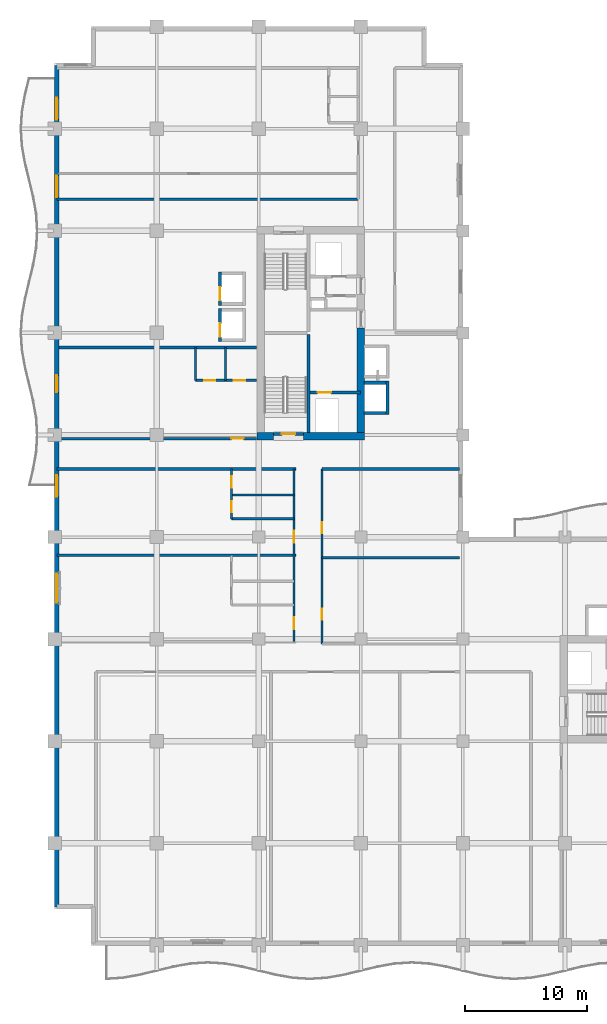
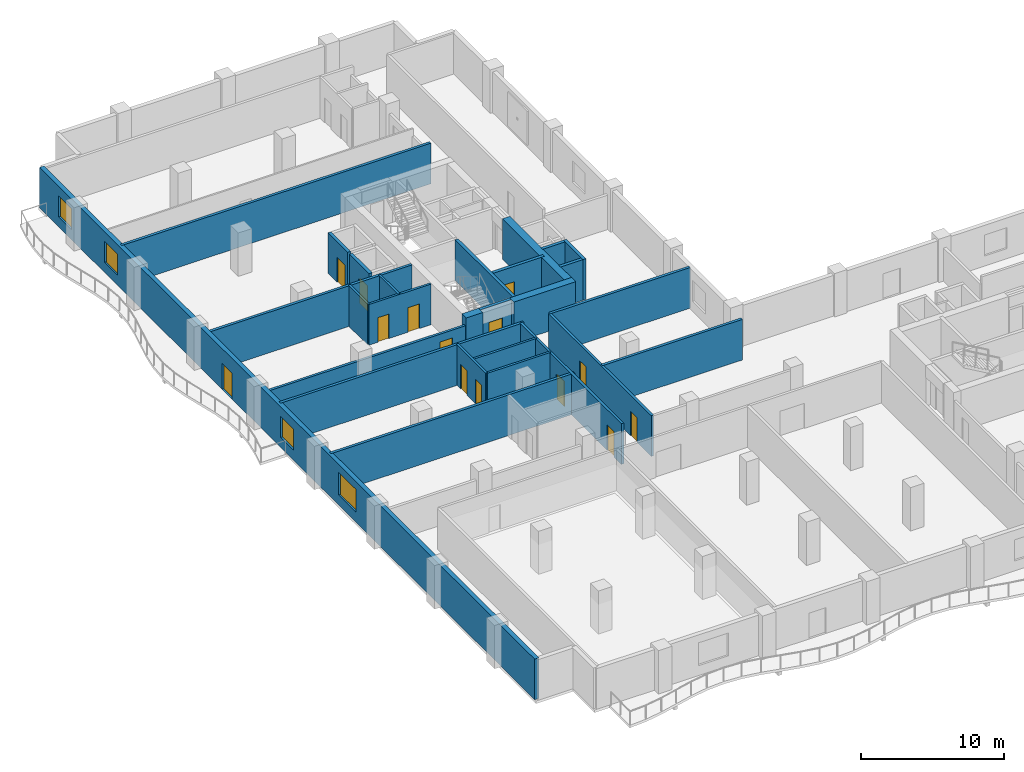
# One storey, part 11 of 20: 27 walls, 14 doors, 4 windows, 18 openings.
"""IFC4 building model written with IfcOpenShell, lengths in metres."""

from ifc_helpers import new_model, si_unit, direction, frame, frame_2d, origin, place, context, subcontext, project, spatial, rectangle, extrude, material, layer, layer_set, type_object, element, fill, save


model = new_model("IFC4")

# Units and contexts
model_context = context("Model", 3, precision=1e-05, world=origin(), true_north=direction((0.0, 1.0)))
body_context = subcontext(model_context, "Body", "Model", "MODEL_VIEW")
ifc_project = project(units=[si_unit("LENGTHUNIT", "METRE"), si_unit("AREAUNIT", "SQUARE_METRE"), si_unit("VOLUMEUNIT", "CUBIC_METRE"), si_unit("PLANEANGLEUNIT", "RADIAN"), si_unit("MASSUNIT", "GRAM", prefix="KILO")], contexts=[model_context])

# Site, building, storey
site_placement = place(None, origin())
site = spatial("IfcSite", under=ifc_project, at=site_placement, CompositionType="ELEMENT")
building_placement = place(site_placement, origin())
building = spatial("IfcBuilding", under=site, at=building_placement, Name="Koriwani Terraces Tower", CompositionType="ELEMENT")
storey_placement = place(building_placement, frame((0.0, 0.0, 212.39990234375)))
storey = spatial("IfcBuildingStorey", under=building, at=storey_placement, Name="L52", CompositionType="ELEMENT", Elevation=212.39990234375)

# Walls
ifc_material_1 = material(Name="Concrete C60/75", Category="concrete")
ifc_layer_1 = layer(ifc_material_1, 0.60009765625, Name="Concrete C60/75")
ifc_layer_set_1 = layer_set([ifc_layer_1], Name="Concrete C60/75")
wall_type_1 = type_object("IfcWallType", Name="WALL_CORE_RC_600", PredefinedType="SHEAR", material=ifc_layer_set_1)
wall_1_placement = place(storey_placement, frame((16.64990234375, 41.89990234375, 0.0), z_axis=(0.0, 0.0, 1.0), x_axis=(1.0, 0.0, 0.0)))
element("IfcWall", 1, at=wall_1_placement, inside=storey, type_object=wall_type_1, Name="L52 West Split Core Shear Wall S1", PredefinedType="SHEAR", context=body_context, shape_type="SweptSolid", body=[
    extrude(rectangle(XDim=1.35009765625, YDim=0.60009765625, at=frame_2d((0.675048828125, 0.0))), origin(), (0.0, 0.0, 1.0), 3.47021484375),
])
wall_2_placement = place(storey_placement, frame((20.5, 41.89990234375, 0.0), z_axis=(0.0, 0.0, 1.0), x_axis=(1.0, 0.0, 0.0)))
element("IfcWall", 2, at=wall_2_placement, inside=storey, type_object=wall_type_1, Name="L52 West Split Core Shear Wall S2", PredefinedType="SHEAR", context=body_context, shape_type="SweptSolid", body=[
    extrude(rectangle(XDim=5.0, YDim=0.60009765625, at=frame_2d((2.5, 0.0))), origin(), (0.0, 0.0, 1.0), 3.47021484375),
])
wall_3_placement = place(storey_placement, frame((25.199951171875, 42.199951171875, 0.0), z_axis=(0.0, 0.0, 1.0), x_axis=(0.0, 1.0, 0.0)))
element("IfcWall", 3, at=wall_3_placement, inside=storey, type_object=wall_type_1, Name="L52 West Split Core Shear Wall E1", PredefinedType="SHEAR", context=body_context, shape_type="SweptSolid", body=[
    extrude(rectangle(XDim=8.60009765625, YDim=0.60009765625, at=frame_2d((4.300048828125, 0.0))), origin(), (0.0, 0.0, 1.0), 3.47021484375),
])

# Wall, opening, door
ifc_material_2 = material(Name="Autoclaved Cellular Concrete Blockwork", Category="masonry")
ifc_layer_2 = layer(ifc_material_2, 0.199951171875, Name="Autoclaved Cellular Concrete Blockwork")
ifc_layer_set_2 = layer_set([ifc_layer_2], Name="Autoclaved Cellular Concrete Blockwork")
wall_type_2 = type_object("IfcWallType", Name="WALL_CORRIDOR_200", PredefinedType="PARTITIONING", material=ifc_layer_set_2)
wall_4_placement = place(storey_placement, frame((0.35009765625, 41.699951171875, 0.0), z_axis=(0.0, 0.0, 1.0), x_axis=(1.0, 0.0, 0.0)))
wall_4 = element("IfcWall", 4, at=wall_4_placement, inside=storey, type_object=wall_type_2, Name="L52 Interior Wall WREC-WS-L52", PredefinedType="PARTITIONING", context=body_context, shape_type="SweptSolid", body=[
    extrude(rectangle(XDim=16.25, YDim=0.199951171875, at=frame_2d((8.125, 0.0))), origin(), (0.0, 0.0, 1.0), 2.820068359375),
])
opening_1_placement = place(wall_4_placement, frame((14.199951171875, 0.0, 0.0)))
opening_1 = element("IfcOpeningElement", 5, at=opening_1_placement, cuts=wall_4, Name="Opening D-05", PredefinedType="OPENING", context=body_context, shape_type="SweptSolid", body=[
    extrude(rectangle(XDim=1.0, YDim=2.14990234375, at=frame_2d((0.5, 1.074951171875))), frame((0.0, 0.10986328125, 0.0), z_axis=(0.0, -1.0, 0.0), x_axis=(1.0, 0.0, 0.0)), (0.0, 0.0, 1.0), 0.219970703125),
])
ifc_material_3 = material(Name="Architectural Oak Fire Door", Category="wood")
door_type_1 = type_object("IfcDoorType", Name="DOOR_SUITE_ENTRY_1000X2150", OperationType="NOTDEFINED", PredefinedType="DOOR", material=ifc_material_3)
door_1_placement = place(opening_1_placement, origin())
door_1 = element("IfcDoor", 6, at=door_1_placement, inside=storey, type_object=door_type_1, Name="L52 Reclaimed West Suite Door", OperationType="SINGLE_SWING_RIGHT", OverallHeight=2.14990234375, OverallWidth=1.0, PredefinedType="DOOR", context=body_context, shape_type="SweptSolid", body=[
    extrude(rectangle(XDim=1.0, YDim=2.14990234375, at=frame_2d((0.5, 1.074951171875))), frame((0.0, 0.02490234375, 0.0), z_axis=(0.0, -1.0, 0.0), x_axis=(1.0, 0.0, 0.0)), (0.0, 0.0, 1.0), 0.050048828125),
])
fill(opening_1, door_1)

# Wall, openings, doors
wall_5_placement = place(storey_placement, frame((22.0, 24.800048828125, 0.0), z_axis=(0.0, 0.0, 1.0), x_axis=(0.0, 1.0, 0.0)))
wall_5 = element("IfcWall", 7, at=wall_5_placement, inside=storey, type_object=wall_type_2, Name="L52 Interior Wall WIC2-W-L52", PredefinedType="PARTITIONING", context=body_context, shape_type="SweptSolid", body=[
    extrude(rectangle(XDim=14.39990234375, YDim=0.199951171875, at=frame_2d((7.199951171875, 0.0))), origin(), (0.0, 0.0, 1.0), 3.47021484375),
])
opening_2_placement = place(wall_5_placement, frame((2.0, 0.0, 0.0)))
opening_2 = element("IfcOpeningElement", 8, at=opening_2_placement, cuts=wall_5, Name="Opening D-06", PredefinedType="OPENING", context=body_context, shape_type="SweptSolid", body=[
    extrude(rectangle(XDim=0.919921875, YDim=2.10009765625, at=frame_2d((0.4599609375, 1.050048828125))), frame((0.0, 0.10986328125, 0.0), z_axis=(0.0, -1.0, 0.0), x_axis=(1.0, 0.0, 0.0)), (0.0, 0.0, 1.0), 0.219970703125),
])
opening_3_placement = place(wall_5_placement, frame((9.10009765625, 0.0, 0.0)))
opening_3 = element("IfcOpeningElement", 9, at=opening_3_placement, cuts=wall_5, Name="Opening D-06", PredefinedType="OPENING", context=body_context, shape_type="SweptSolid", body=[
    extrude(rectangle(XDim=0.919921875, YDim=2.10009765625, at=frame_2d((0.4599609375, 1.050048828125))), frame((0.0, 0.10986328125, 0.0), z_axis=(0.0, -1.0, 0.0), x_axis=(1.0, 0.0, 0.0)), (0.0, 0.0, 1.0), 0.219970703125),
])
door_type_2 = type_object("IfcDoorType", Name="DOOR_ROOM_INT_920X2100", OperationType="NOTDEFINED", PredefinedType="DOOR", material=ifc_material_3)
door_2_placement = place(opening_2_placement, origin())
door_2 = element("IfcDoor", 10, at=door_2_placement, inside=storey, type_object=door_type_2, Name="L52 Inner Court Salon Door", OperationType="SINGLE_SWING_RIGHT", OverallHeight=2.10009765625, OverallWidth=0.919921875, PredefinedType="DOOR", context=body_context, shape_type="SweptSolid", body=[
    extrude(rectangle(XDim=0.919921875, YDim=2.10009765625, at=frame_2d((0.4599609375, 1.050048828125))), frame((0.0, 0.02490234375, 0.0), z_axis=(0.0, -1.0, 0.0), x_axis=(1.0, 0.0, 0.0)), (0.0, 0.0, 1.0), 0.050048828125),
])
fill(opening_2, door_2)
door_3_placement = place(opening_3_placement, origin())
door_3 = element("IfcDoor", 11, at=door_3_placement, inside=storey, type_object=door_type_2, Name="L52 Inner Court Media Room Door", OperationType="SINGLE_SWING_LEFT", OverallHeight=2.10009765625, OverallWidth=0.919921875, PredefinedType="DOOR", context=body_context, shape_type="SweptSolid", body=[
    extrude(rectangle(XDim=0.919921875, YDim=2.10009765625, at=frame_2d((0.4599609375, 1.050048828125))), frame((0.0, 0.02490234375, 0.0), z_axis=(0.0, -1.0, 0.0), x_axis=(1.0, 0.0, 0.0)), (0.0, 0.0, 1.0), 0.050048828125),
])
fill(opening_3, door_3)

wall_6_placement = place(storey_placement, frame((19.699951171875, 25.0, 0.0), z_axis=(0.0, 0.0, 1.0), x_axis=(0.0, 1.0, 0.0)))
wall_6 = element("IfcWall", 12, at=wall_6_placement, inside=storey, type_object=wall_type_2, Name="L52 Interior Wall WRCOR-L52-NW-0", PredefinedType="PARTITIONING", context=body_context, shape_type="SweptSolid", body=[
    extrude(rectangle(XDim=14.199951171875, YDim=0.199951171875, at=frame_2d((7.10009765625, 0.0))), origin(), (0.0, 0.0, 1.0), 3.47021484375),
])
opening_4_placement = place(wall_6_placement, frame((1.02001953125, 0.0, 0.0)))
opening_4 = element("IfcOpeningElement", 13, at=opening_4_placement, cuts=wall_6, Name="Opening D-05", PredefinedType="OPENING", context=body_context, shape_type="SweptSolid", body=[
    extrude(rectangle(XDim=1.0, YDim=2.14990234375, at=frame_2d((0.5, 1.074951171875))), frame((0.0, 0.10986328125, 0.0), z_axis=(0.0, -1.0, 0.0), x_axis=(1.0, 0.0, 0.0)), (0.0, 0.0, 1.0), 0.219970703125),
])
opening_5_placement = place(wall_6_placement, frame((8.1201171875, 0.0, 0.0)))
opening_5 = element("IfcOpeningElement", 14, at=opening_5_placement, cuts=wall_6, Name="Opening D-05", PredefinedType="OPENING", context=body_context, shape_type="SweptSolid", body=[
    extrude(rectangle(XDim=1.0, YDim=2.14990234375, at=frame_2d((0.5, 1.074951171875))), frame((0.0, 0.10986328125, 0.0), z_axis=(0.0, -1.0, 0.0), x_axis=(1.0, 0.0, 0.0)), (0.0, 0.0, 1.0), 0.219970703125),
])
door_4_placement = place(opening_4_placement, origin())
door_4 = element("IfcDoor", 15, at=door_4_placement, inside=storey, type_object=door_type_1, Name="Apartment 52NW1 Entrance Door", OperationType="SINGLE_SWING_LEFT", OverallHeight=2.14990234375, OverallWidth=1.0, PredefinedType="DOOR", context=body_context, shape_type="SweptSolid", body=[
    extrude(rectangle(XDim=1.0, YDim=2.14990234375, at=frame_2d((0.5, 1.074951171875))), frame((0.0, 0.02490234375, 0.0), z_axis=(0.0, -1.0, 0.0), x_axis=(1.0, 0.0, 0.0)), (0.0, 0.0, 1.0), 0.050048828125),
])
fill(opening_4, door_4)
door_5_placement = place(opening_5_placement, origin())
door_5 = element("IfcDoor", 16, at=door_5_placement, inside=storey, type_object=door_type_1, Name="Apartment 52NW2 Entrance Door", OperationType="SINGLE_SWING_RIGHT", OverallHeight=2.14990234375, OverallWidth=1.0, PredefinedType="DOOR", context=body_context, shape_type="SweptSolid", body=[
    extrude(rectangle(XDim=1.0, YDim=2.14990234375, at=frame_2d((0.5, 1.074951171875))), frame((0.0, 0.02490234375, 0.0), z_axis=(0.0, -1.0, 0.0), x_axis=(1.0, 0.0, 0.0)), (0.0, 0.0, 1.0), 0.050048828125),
])
fill(opening_5, door_5)

# Walls
ifc_layer_3 = layer(ifc_material_2, 0.219970703125, Name="Autoclaved Cellular Concrete Blockwork")
ifc_layer_set_3 = layer_set([ifc_layer_3], Name="Autoclaved Cellular Concrete Blockwork")
wall_type_3 = type_object("IfcWallType", Name="WALL_DEMISING_220", PredefinedType="PARTITIONING", material=ifc_layer_set_3)
wall_7_placement = place(storey_placement, frame((0.35009765625, 49.199951171875, 0.0), z_axis=(0.0, 0.0, 1.0), x_axis=(1.0, 0.0, 0.0)))
element("IfcWall", 17, at=wall_7_placement, inside=storey, type_object=wall_type_3, Name="L52 Interior Wall WREC-WN-L52", PredefinedType="PARTITIONING", context=body_context, shape_type="SweptSolid", body=[
    extrude(rectangle(XDim=16.25, YDim=0.219970703125, at=frame_2d((8.125, 0.0))), origin(), (0.0, 0.0, 1.0), 3.47021484375),
])
for number, where, z_axis, x_axis, name in (
    (18, (22.0, 31.89990234375, 0.0), (0.0, 0.0, 1.0), (1.0, 0.0, 0.0), "L52 Interior Wall WIC2-M-L52"),
    (19, (22.0, 39.199951171875, 0.0), (0.0, 0.0, 1.0), (1.0, 0.0, 0.0), "L52 Interior Wall WIC2-N-L52"),
):
    element("IfcWall", number, at=place(storey_placement, frame(where, z_axis=z_axis, x_axis=x_axis)), inside=storey, type_object=wall_type_3, Name=name, PredefinedType="PARTITIONING", context=body_context, shape_type="SweptSolid", body=[
        extrude(rectangle(XDim=11.300048828125, YDim=0.219970703125, at=frame_2d((5.64990234375, 0.0))), origin(), (0.0, 0.0, 1.0), 3.47021484375),
    ])
for number, where, z_axis, x_axis, name in (
    (20, (0.199951171875, 32.10009765625, 0.0), (0.0, 0.0, 1.0), (1.0, 0.0, 0.0), "L52 Interior Wall WRDEM-L52-NW-1"),
    (21, (0.199951171875, 39.199951171875, 0.0), (0.0, 0.0, 1.0), (1.0, 0.0, 0.0), "L52 Interior Wall WRDEME-L52-NW"),
):
    element("IfcWall", number, at=place(storey_placement, frame(where, z_axis=z_axis, x_axis=x_axis)), inside=storey, type_object=wall_type_3, Name=name, PredefinedType="PARTITIONING", context=body_context, shape_type="SweptSolid", body=[
        extrude(rectangle(XDim=19.679931640625, YDim=0.219970703125, at=frame_2d((9.83984375, 0.0))), origin(), (0.0, 0.0, 1.0), 3.47021484375),
    ])
wall_8_placement = place(storey_placement, frame((0.199951171875, 61.39990234375, 0.0), z_axis=(0.0, 0.0, 1.0), x_axis=(1.0, 0.0, 0.0)))
element("IfcWall", 22, at=wall_8_placement, inside=storey, type_object=wall_type_3, Name="L52 Interior Wall WRDEM-L52-NE-0", PredefinedType="PARTITIONING", context=body_context, shape_type="SweptSolid", body=[
    extrude(rectangle(XDim=24.97998046875, YDim=0.219970703125, at=frame_2d((12.489990234375, 0.0))), origin(), (0.0, 0.0, 1.0), 3.47021484375),
])

# Wall, openings, door, windows
ifc_material_4 = material(Name="Concrete C50/60", Category="concrete")
ifc_layer_4 = layer(ifc_material_4, 0.35009765625, Name="Concrete C50/60")
ifc_layer_set_4 = layer_set([ifc_layer_4], Name="Concrete C50/60")
wall_type_4 = type_object("IfcWallType", Name="WALL_EXT_BRUTALIST_350", PredefinedType="STANDARD", material=ifc_layer_set_4)
wall_9_placement = place(storey_placement, frame((0.175048828125, 3.175048828125, 0.0), z_axis=(0.0, 0.0, 1.0), x_axis=(0.0, 1.0, 0.0)))
wall_9 = element("IfcWall", 23, at=wall_9_placement, inside=storey, type_object=wall_type_4, Name="L52 Fair-Faced Brutalist Exterior Wall (W)", PredefinedType="STANDARD", context=body_context, shape_type="SweptSolid", body=[
    extrude(rectangle(XDim=69.25, YDim=0.35009765625, at=frame_2d((34.625, 0.0))), origin(), (0.0, 0.0, 1.0), 3.47021484375),
])
opening_6_placement = place(wall_9_placement, frame((42.324951171875, 0.0, 0.0)))
opening_6 = element("IfcOpeningElement", 24, at=opening_6_placement, cuts=wall_9, Name="Opening D-09", PredefinedType="OPENING", context=body_context, shape_type="SweptSolid", body=[
    extrude(rectangle(XDim=1.39990234375, YDim=2.199951171875, at=frame_2d((0.699951171875, 1.10009765625))), frame((0.0, 0.18505859375, 0.0), z_axis=(0.0, -1.0, 0.0), x_axis=(1.0, 0.0, 0.0)), (0.0, 0.0, 1.0), 0.3701171875),
])
opening_7_placement = place(wall_9_placement, frame((25.02490234375, 0.0, 0.85009765625)))
opening_7 = element("IfcOpeningElement", 25, at=opening_7_placement, cuts=wall_9, Name="Opening W-03", PredefinedType="OPENING", context=body_context, shape_type="SweptSolid", body=[
    extrude(rectangle(XDim=2.39990234375, YDim=1.949951171875, at=frame_2d((1.199951171875, 0.97509765625))), frame((0.0, 0.18505859375, 0.0), z_axis=(0.0, -1.0, 0.0), x_axis=(1.0, 0.0, 0.0)), (0.0, 0.0, 1.0), 0.3701171875),
])
opening_8_placement = place(wall_9_placement, frame((33.72509765625, 0.0, 0.85009765625)))
opening_8 = element("IfcOpeningElement", 26, at=opening_8_placement, cuts=wall_9, Name="Opening W-04", PredefinedType="OPENING", context=body_context, shape_type="SweptSolid", body=[
    extrude(rectangle(XDim=1.800048828125, YDim=1.800048828125, at=frame_2d((0.89990234375, 0.89990234375))), frame((0.0, 0.18505859375, 0.0), z_axis=(0.0, -1.0, 0.0), x_axis=(1.0, 0.0, 0.0)), (0.0, 0.0, 1.0), 0.3701171875),
])
opening_9_placement = place(wall_9_placement, frame((58.375, 0.0, 0.85009765625)))
opening_9 = element("IfcOpeningElement", 27, at=opening_9_placement, cuts=wall_9, Name="Opening W-04", PredefinedType="OPENING", context=body_context, shape_type="SweptSolid", body=[
    extrude(rectangle(XDim=1.800048828125, YDim=1.800048828125, at=frame_2d((0.89990234375, 0.89990234375))), frame((0.0, 0.18505859375, 0.0), z_axis=(0.0, -1.0, 0.0), x_axis=(1.0, 0.0, 0.0)), (0.0, 0.0, 1.0), 0.3701171875),
])
opening_10_placement = place(wall_9_placement, frame((64.77490234375, 0.0, 0.85009765625)))
opening_10 = element("IfcOpeningElement", 28, at=opening_10_placement, cuts=wall_9, Name="Opening W-04", PredefinedType="OPENING", context=body_context, shape_type="SweptSolid", body=[
    extrude(rectangle(XDim=1.800048828125, YDim=1.800048828125, at=frame_2d((0.89990234375, 0.89990234375))), frame((0.0, 0.18505859375, 0.0), z_axis=(0.0, -1.0, 0.0), x_axis=(1.0, 0.0, 0.0)), (0.0, 0.0, 1.0), 0.3701171875),
])
ifc_material_5 = material(Name="Anodised Bronze Aluminium", Category="aluminium")
door_type_3 = type_object("IfcDoorType", Name="DOOR_BALCONY_GLAZED_1400X2200", OperationType="NOTDEFINED", PredefinedType="DOOR", material=ifc_material_5)
door_6_placement = place(opening_6_placement, origin())
door_6 = element("IfcDoor", 29, at=door_6_placement, inside=storey, type_object=door_type_3, Name="L52 West Balcony Glazed Door", OperationType="SINGLE_SWING_LEFT", OverallHeight=2.199951171875, OverallWidth=1.39990234375, PredefinedType="DOOR", context=body_context, shape_type="SweptSolid", body=[
    extrude(rectangle(XDim=1.39990234375, YDim=2.199951171875, at=frame_2d((0.699951171875, 1.10009765625))), frame((0.0, 0.02490234375, 0.0), z_axis=(0.0, -1.0, 0.0), x_axis=(1.0, 0.0, 0.0)), (0.0, 0.0, 1.0), 0.050048828125),
])
fill(opening_6, door_6)
ifc_material_6 = material(Name="Tempered Laminated Low-E Glass", Category="glass")
window_type_1 = type_object("IfcWindowType", Name="WIN_RES_BED_1800X1800", PartitioningType="DOUBLE_PANEL_VERTICAL", PredefinedType="WINDOW", material=ifc_material_6)
window_1_placement = place(opening_8_placement, origin())
window_1 = element("IfcWindow", 30, at=window_1_placement, inside=storey, type_object=window_type_1, Name="L52 Exterior Window (W-12)", OverallHeight=1.800048828125, OverallWidth=1.800048828125, PartitioningType="SINGLE_PANEL", PredefinedType="WINDOW", context=body_context, shape_type="SweptSolid", body=[
    extrude(rectangle(XDim=1.800048828125, YDim=1.800048828125, at=frame_2d((0.89990234375, 0.89990234375))), frame((0.0, 0.030029296875, 0.0), z_axis=(0.0, -1.0, 0.0), x_axis=(1.0, 0.0, 0.0)), (0.0, 0.0, 1.0), 0.06005859375),
])
fill(opening_8, window_1)
window_2_placement = place(opening_9_placement, origin())
window_2 = element("IfcWindow", 31, at=window_2_placement, inside=storey, type_object=window_type_1, Name="L52 Exterior Window (W-R44)", OverallHeight=1.800048828125, OverallWidth=1.800048828125, PartitioningType="SINGLE_PANEL", PredefinedType="WINDOW", context=body_context, shape_type="SweptSolid", body=[
    extrude(rectangle(XDim=1.800048828125, YDim=1.800048828125, at=frame_2d((0.89990234375, 0.89990234375))), frame((0.0, 0.030029296875, 0.0), z_axis=(0.0, -1.0, 0.0), x_axis=(1.0, 0.0, 0.0)), (0.0, 0.0, 1.0), 0.06005859375),
])
fill(opening_9, window_2)
window_3_placement = place(opening_10_placement, origin())
window_3 = element("IfcWindow", 32, at=window_3_placement, inside=storey, type_object=window_type_1, Name="L52 Exterior Window (W-R45)", OverallHeight=1.800048828125, OverallWidth=1.800048828125, PartitioningType="SINGLE_PANEL", PredefinedType="WINDOW", context=body_context, shape_type="SweptSolid", body=[
    extrude(rectangle(XDim=1.800048828125, YDim=1.800048828125, at=frame_2d((0.89990234375, 0.89990234375))), frame((0.0, 0.030029296875, 0.0), z_axis=(0.0, -1.0, 0.0), x_axis=(1.0, 0.0, 0.0)), (0.0, 0.0, 1.0), 0.06005859375),
])
fill(opening_10, window_3)
window_type_2 = type_object("IfcWindowType", Name="WIN_RES_LIVING_2400X1950", PartitioningType="DOUBLE_PANEL_VERTICAL", PredefinedType="WINDOW", material=ifc_material_6)
window_4_placement = place(opening_7_placement, origin())
window_4 = element("IfcWindow", 33, at=window_4_placement, inside=storey, type_object=window_type_2, Name="L52 Exterior Window (W-9)", OverallHeight=1.949951171875, OverallWidth=2.39990234375, PartitioningType="SINGLE_PANEL", PredefinedType="WINDOW", context=body_context, shape_type="SweptSolid", body=[
    extrude(rectangle(XDim=2.39990234375, YDim=1.949951171875, at=frame_2d((1.199951171875, 0.97509765625))), frame((0.0, 0.030029296875, 0.0), z_axis=(0.0, -1.0, 0.0), x_axis=(1.0, 0.0, 0.0)), (0.0, 0.0, 1.0), 0.06005859375),
])
fill(opening_7, window_4)

# Wall, openings, doors
ifc_material_7 = material(Name="Fire-Rated Acoustic Gypsum Partition", Category="masonry")
ifc_layer_5 = layer(ifc_material_7, 0.179931640625, Name="Fire-Rated Acoustic Gypsum Partition")
ifc_layer_set_5 = layer_set([ifc_layer_5], Name="Fire-Rated Acoustic Gypsum Partition")
wall_type_5 = type_object("IfcWallType", Name="WALL_PLUMBING_180", PredefinedType="PLUMBINGWALL", material=ifc_layer_set_5)
wall_10_placement = place(storey_placement, frame((11.60009765625, 46.5, 0.0), z_axis=(0.0, 0.0, 1.0), x_axis=(1.0, 0.0, 0.0)))
wall_10 = element("IfcWall", 34, at=wall_10_placement, inside=storey, type_object=wall_type_5, Name="L52 Interior Wall WREC-WBB-L52", PredefinedType="PLUMBINGWALL", context=body_context, shape_type="SweptSolid", body=[
    extrude(rectangle(XDim=5.0, YDim=0.179931640625, at=frame_2d((2.5, 0.0))), origin(), (0.0, 0.0, 1.0), 3.47021484375),
])
opening_11_placement = place(wall_10_placement, frame((0.699951171875, 0.0, 0.0)))
opening_11 = element("IfcOpeningElement", 35, at=opening_11_placement, cuts=wall_10, Name="Opening D-07", PredefinedType="OPENING", context=body_context, shape_type="SweptSolid", body=[
    extrude(rectangle(XDim=0.89990234375, YDim=2.10009765625, at=frame_2d((0.449951171875, 1.050048828125))), frame((0.0, 0.10009765625, 0.0), z_axis=(0.0, -1.0, 0.0), x_axis=(1.0, 0.0, 0.0)), (0.0, 0.0, 1.0), 0.199951171875),
])
opening_12_placement = place(wall_10_placement, frame((3.14990234375, 0.0, 0.0)))
opening_12 = element("IfcOpeningElement", 36, at=opening_12_placement, cuts=wall_10, Name="Opening D-06", PredefinedType="OPENING", context=body_context, shape_type="SweptSolid", body=[
    extrude(rectangle(XDim=0.919921875, YDim=2.10009765625, at=frame_2d((0.4599609375, 1.050048828125))), frame((0.0, 0.10009765625, 0.0), z_axis=(0.0, -1.0, 0.0), x_axis=(1.0, 0.0, 0.0)), (0.0, 0.0, 1.0), 0.199951171875),
])
door_type_4 = type_object("IfcDoorType", Name="DOOR_BATH_INT_900X2100", OperationType="NOTDEFINED", PredefinedType="DOOR", material=ifc_material_3)
door_7_placement = place(opening_11_placement, origin())
door_7 = element("IfcDoor", 37, at=door_7_placement, inside=storey, type_object=door_type_4, Name="Apartment 52RW Bathroom Door", OperationType="SINGLE_SWING_LEFT", OverallHeight=2.10009765625, OverallWidth=0.89990234375, PredefinedType="DOOR", context=body_context, shape_type="SweptSolid", body=[
    extrude(rectangle(XDim=0.89990234375, YDim=2.10009765625, at=frame_2d((0.449951171875, 1.050048828125))), frame((0.0, 0.02490234375, 0.0), z_axis=(0.0, -1.0, 0.0), x_axis=(1.0, 0.0, 0.0)), (0.0, 0.0, 1.0), 0.050048828125),
])
fill(opening_11, door_7)
door_8_placement = place(opening_12_placement, origin())
door_8 = element("IfcDoor", 38, at=door_8_placement, inside=storey, type_object=door_type_2, Name="Apartment 52RW Kitchen Door", OperationType="SINGLE_SWING_RIGHT", OverallHeight=2.10009765625, OverallWidth=0.919921875, PredefinedType="DOOR", context=body_context, shape_type="SweptSolid", body=[
    extrude(rectangle(XDim=0.919921875, YDim=2.10009765625, at=frame_2d((0.4599609375, 1.050048828125))), frame((0.0, 0.02490234375, 0.0), z_axis=(0.0, -1.0, 0.0), x_axis=(1.0, 0.0, 0.0)), (0.0, 0.0, 1.0), 0.050048828125),
])
fill(opening_12, door_8)

# Walls
for number, where, z_axis, x_axis, name in (
    (39, (11.60009765625, 46.5, 0.0), (0.0, 0.0, 1.0), (0.0, 1.0, 0.0), "L52 Interior Wall WREC-WB2-L52"),
    (40, (14.050048828125, 46.5, 0.0), (0.0, 0.0, 1.0), (0.0, 1.0, 0.0), "L52 Interior Wall WREC-WB3-L52"),
):
    element("IfcWall", number, at=place(storey_placement, frame(where, z_axis=z_axis, x_axis=x_axis)), inside=storey, type_object=wall_type_5, Name=name, PredefinedType="PLUMBINGWALL", context=body_context, shape_type="SweptSolid", body=[
        extrude(rectangle(XDim=2.699951171875, YDim=0.179931640625, at=frame_2d((1.35009765625, 0.0))), origin(), (0.0, 0.0, 1.0), 3.47021484375),
    ])

# Wall, openings, doors
wall_11_placement = place(storey_placement, frame((14.550048828125, 35.10009765625, 0.0), z_axis=(0.0, 0.0, 1.0), x_axis=(0.0, 1.0, 0.0)))
wall_11 = element("IfcWall", 41, at=wall_11_placement, inside=storey, type_object=wall_type_5, Name="L52 Interior Wall WRSVC-L52-NW-1", PredefinedType="PLUMBINGWALL", context=body_context, shape_type="SweptSolid", body=[
    extrude(rectangle(XDim=4.099853515625, YDim=0.179931640625, at=frame_2d((2.0498046875, 0.0))), origin(), (0.0, 0.0, 1.0), 3.47021484375),
])
opening_13_placement = place(wall_11_placement, frame((0.533935546875, 0.0, 0.0)))
opening_13 = element("IfcOpeningElement", 42, at=opening_13_placement, cuts=wall_11, Name="Opening D-07", PredefinedType="OPENING", context=body_context, shape_type="SweptSolid", body=[
    extrude(rectangle(XDim=0.89990234375, YDim=2.10009765625, at=frame_2d((0.449951171875, 1.050048828125))), frame((0.0, 0.10009765625, 0.0), z_axis=(0.0, -1.0, 0.0), x_axis=(1.0, 0.0, 0.0)), (0.0, 0.0, 1.0), 0.199951171875),
])
opening_14_placement = place(wall_11_placement, frame((2.573974609375, 0.0, 0.0)))
opening_14 = element("IfcOpeningElement", 43, at=opening_14_placement, cuts=wall_11, Name="Opening D-06", PredefinedType="OPENING", context=body_context, shape_type="SweptSolid", body=[
    extrude(rectangle(XDim=0.919921875, YDim=2.10009765625, at=frame_2d((0.4599609375, 1.050048828125))), frame((0.0, 0.10009765625, 0.0), z_axis=(0.0, -1.0, 0.0), x_axis=(1.0, 0.0, 0.0)), (0.0, 0.0, 1.0), 0.199951171875),
])
door_9_placement = place(opening_13_placement, origin())
door_9 = element("IfcDoor", 44, at=door_9_placement, inside=storey, type_object=door_type_4, Name="Apartment 52NW2 Bathroom Door", OperationType="SINGLE_SWING_LEFT", OverallHeight=2.10009765625, OverallWidth=0.89990234375, PredefinedType="DOOR", context=body_context, shape_type="SweptSolid", body=[
    extrude(rectangle(XDim=0.89990234375, YDim=2.10009765625, at=frame_2d((0.449951171875, 1.050048828125))), frame((0.0, 0.02490234375, 0.0), z_axis=(0.0, -1.0, 0.0), x_axis=(1.0, 0.0, 0.0)), (0.0, 0.0, 1.0), 0.050048828125),
])
fill(opening_13, door_9)
door_10_placement = place(opening_14_placement, origin())
door_10 = element("IfcDoor", 45, at=door_10_placement, inside=storey, type_object=door_type_2, Name="Apartment 52NW2 Kitchen Door", OperationType="SINGLE_SWING_RIGHT", OverallHeight=2.10009765625, OverallWidth=0.919921875, PredefinedType="DOOR", context=body_context, shape_type="SweptSolid", body=[
    extrude(rectangle(XDim=0.919921875, YDim=2.10009765625, at=frame_2d((0.4599609375, 1.050048828125))), frame((0.0, 0.02490234375, 0.0), z_axis=(0.0, -1.0, 0.0), x_axis=(1.0, 0.0, 0.0)), (0.0, 0.0, 1.0), 0.050048828125),
])
fill(opening_14, door_10)

# Walls
for number, where, z_axis, x_axis, name in (
    (46, (14.550048828125, 35.10009765625, 0.0), (0.0, 0.0, 1.0), (1.0, 0.0, 0.0), "L52 Interior Wall WRSVCS-L52-NW-1"),
    (47, (14.550048828125, 37.068115234375, 0.0), (0.0, 0.0, 1.0), (1.0, 0.0, 0.0), "L52 Interior Wall WRSVCM-L52-NW-1"),
):
    element("IfcWall", number, at=place(storey_placement, frame(where, z_axis=z_axis, x_axis=x_axis)), inside=storey, type_object=wall_type_5, Name=name, PredefinedType="PLUMBINGWALL", context=body_context, shape_type="SweptSolid", body=[
        extrude(rectangle(XDim=5.14990234375, YDim=0.179931640625, at=frame_2d((2.574951171875, 0.0))), origin(), (0.0, 0.0, 1.0), 3.47021484375),
    ])
ifc_material_8 = material(Name="Concrete C40/50", Category="concrete")
ifc_layer_6 = layer(ifc_material_8, 0.25, Name="Concrete C40/50")
ifc_layer_set_6 = layer_set([ifc_layer_6], Name="Concrete C40/50")
wall_type_6 = type_object("IfcWallType", Name="WALL_SHAFT_RATED_250", PredefinedType="SOLIDWALL", material=ifc_layer_set_6)
wall_12_placement = place(storey_placement, frame((20.875, 42.199951171875, 0.0), z_axis=(0.0, 0.0, 1.0), x_axis=(0.0, 1.0, 0.0)))
element("IfcWall", 48, at=wall_12_placement, inside=storey, type_object=wall_type_6, Name="L52 West Split Core Web Wall MID1", PredefinedType="SOLIDWALL", context=body_context, shape_type="SweptSolid", body=[
    extrude(rectangle(XDim=8.050048828125, YDim=0.25, at=frame_2d((4.02490234375, 0.0))), origin(), (0.0, 0.0, 1.0), 3.47021484375),
])

# Wall, opening, door
wall_13_placement = place(storey_placement, frame((18.0, 42.074951171875, 0.0), z_axis=(0.0, 0.0, 1.0), x_axis=(1.0, 0.0, 0.0)))
wall_13 = element("IfcWall", 49, at=wall_13_placement, inside=storey, type_object=wall_type_6, Name="L52 Interior Wall WIN-CW-L52-STS", PredefinedType="SOLIDWALL", context=body_context, shape_type="SweptSolid", body=[
    extrude(rectangle(XDim=2.5, YDim=0.25, at=frame_2d((1.25, 0.0))), origin(), (0.0, 0.0, 1.0), 3.47021484375),
])
opening_15_placement = place(wall_13_placement, frame((0.699951171875, 0.0, 0.0)))
opening_15 = element("IfcOpeningElement", 50, at=opening_15_placement, cuts=wall_13, Name="Opening D-03", PredefinedType="OPENING", context=body_context, shape_type="SweptSolid", body=[
    extrude(rectangle(XDim=1.10009765625, YDim=2.14990234375, at=frame_2d((0.550048828125, 1.074951171875))), frame((0.0, 0.135009765625, 0.0), z_axis=(0.0, -1.0, 0.0), x_axis=(1.0, 0.0, 0.0)), (0.0, 0.0, 1.0), 0.27001953125),
])
ifc_material_9 = material(Name="Steel ASTM A572 Grade 50", Category="steel")
door_type_5 = type_object("IfcDoorType", Name="DOOR_STAIR_FIRE_1100X2150", OperationType="NOTDEFINED", PredefinedType="DOOR", material=ifc_material_9)
door_11_placement = place(opening_15_placement, origin())
door_11 = element("IfcDoor", 51, at=door_11_placement, inside=storey, type_object=door_type_5, Name="L52 Exit Stair ST-W1 Door", OperationType="SINGLE_SWING_RIGHT", OverallHeight=2.14990234375, OverallWidth=1.10009765625, PredefinedType="DOOR", context=body_context, shape_type="SweptSolid", body=[
    extrude(rectangle(XDim=1.10009765625, YDim=2.14990234375, at=frame_2d((0.550048828125, 1.074951171875))), frame((0.0, 0.02490234375, 0.0), z_axis=(0.0, -1.0, 0.0), x_axis=(1.0, 0.0, 0.0)), (0.0, 0.0, 1.0), 0.050048828125),
])
fill(opening_15, door_11)

wall_14_placement = place(storey_placement, frame((21.0, 45.5, 0.0), z_axis=(0.0, 0.0, 1.0), x_axis=(1.0, 0.0, 0.0)))
wall_14 = element("IfcWall", 52, at=wall_14_placement, inside=storey, type_object=wall_type_6, Name="L52 Interior Wall WIN-CW-L52-FE", PredefinedType="SOLIDWALL", context=body_context, shape_type="SweptSolid", body=[
    extrude(rectangle(XDim=4.14990234375, YDim=0.25, at=frame_2d((2.074951171875, 0.0))), origin(), (0.0, 0.0, 1.0), 3.47021484375),
])
opening_16_placement = place(wall_14_placement, frame((0.64990234375, 0.0, 0.0)))
opening_16 = element("IfcOpeningElement", 53, at=opening_16_placement, cuts=wall_14, Name="Opening LD-01", PredefinedType="OPENING", context=body_context, shape_type="SweptSolid", body=[
    extrude(rectangle(XDim=1.10009765625, YDim=2.14990234375, at=frame_2d((0.550048828125, 1.074951171875))), frame((0.0, 0.135009765625, 0.0), z_axis=(0.0, -1.0, 0.0), x_axis=(1.0, 0.0, 0.0)), (0.0, 0.0, 1.0), 0.27001953125),
])
door_type_6 = type_object("IfcDoorType", Name="DOOR_LIFT_LANDING_1100X2200", OperationType="NOTDEFINED", PredefinedType="DOOR", material=ifc_material_9)
door_12_placement = place(opening_16_placement, origin())
door_12 = element("IfcDoor", 54, at=door_12_placement, inside=storey, type_object=door_type_6, Name="L52 Firefighting Lift FE-01 Landing Door", OperationType="SLIDING_TO_LEFT", OverallHeight=2.14990234375, OverallWidth=1.10009765625, PredefinedType="DOOR", context=body_context, shape_type="SweptSolid", body=[
    extrude(rectangle(XDim=1.10009765625, YDim=2.14990234375, at=frame_2d((0.550048828125, 1.074951171875))), frame((0.0, 0.02490234375, 0.0), z_axis=(0.0, -1.0, 0.0), x_axis=(1.0, 0.0, 0.0)), (0.0, 0.0, 1.0), 0.050048828125),
])
fill(opening_16, door_12)

wall_15_placement = place(storey_placement, frame((13.60009765625, 49.675048828125, 0.0), z_axis=(0.0, 0.0, 1.0), x_axis=(0.0, 1.0, 0.0)))
wall_15 = element("IfcWall", 55, at=wall_15_placement, inside=storey, type_object=wall_type_6, Name="L52 Interior Wall WIN-LF-PE-M1-L52-F", PredefinedType="SOLIDWALL", context=body_context, shape_type="SweptSolid", body=[
    extrude(rectangle(XDim=2.75, YDim=0.25, at=frame_2d((1.375, 0.0))), origin(), (0.0, 0.0, 1.0), 3.47021484375),
])
opening_17_placement = place(wall_15_placement, frame((0.39990234375, 0.0, 0.0)))
opening_17 = element("IfcOpeningElement", 56, at=opening_17_placement, cuts=wall_15, Name="Opening LD-01", PredefinedType="OPENING", context=body_context, shape_type="SweptSolid", body=[
    extrude(rectangle(XDim=1.10009765625, YDim=2.14990234375, at=frame_2d((0.550048828125, 1.074951171875))), frame((0.0, 0.135009765625, 0.0), z_axis=(0.0, -1.0, 0.0), x_axis=(1.0, 0.0, 0.0)), (0.0, 0.0, 1.0), 0.27001953125),
])
door_13_placement = place(opening_17_placement, origin())
door_13 = element("IfcDoor", 57, at=door_13_placement, inside=storey, type_object=door_type_6, Name="L52 Passenger Lift PE-M1 Landing Door", OperationType="SLIDING_TO_LEFT", OverallHeight=2.14990234375, OverallWidth=1.10009765625, PredefinedType="DOOR", context=body_context, shape_type="SweptSolid", body=[
    extrude(rectangle(XDim=1.10009765625, YDim=2.14990234375, at=frame_2d((0.550048828125, 1.074951171875))), frame((0.0, 0.02490234375, 0.0), z_axis=(0.0, -1.0, 0.0), x_axis=(1.0, 0.0, 0.0)), (0.0, 0.0, 1.0), 0.050048828125),
])
fill(opening_17, door_13)

wall_16_placement = place(storey_placement, frame((13.60009765625, 52.675048828125, 0.0), z_axis=(0.0, 0.0, 1.0), x_axis=(0.0, 1.0, 0.0)))
wall_16 = element("IfcWall", 58, at=wall_16_placement, inside=storey, type_object=wall_type_6, Name="L52 Interior Wall WIN-LF-PE-M2-L52-F", PredefinedType="SOLIDWALL", context=body_context, shape_type="SweptSolid", body=[
    extrude(rectangle(XDim=2.75, YDim=0.25, at=frame_2d((1.375, 0.0))), origin(), (0.0, 0.0, 1.0), 3.47021484375),
])
opening_18_placement = place(wall_16_placement, frame((0.39990234375, 0.0, 0.0)))
opening_18 = element("IfcOpeningElement", 59, at=opening_18_placement, cuts=wall_16, Name="Opening LD-01", PredefinedType="OPENING", context=body_context, shape_type="SweptSolid", body=[
    extrude(rectangle(XDim=1.10009765625, YDim=2.14990234375, at=frame_2d((0.550048828125, 1.074951171875))), frame((0.0, 0.135009765625, 0.0), z_axis=(0.0, -1.0, 0.0), x_axis=(1.0, 0.0, 0.0)), (0.0, 0.0, 1.0), 0.27001953125),
])
door_14_placement = place(opening_18_placement, origin())
door_14 = element("IfcDoor", 60, at=door_14_placement, inside=storey, type_object=door_type_6, Name="L52 Passenger Lift PE-M2 Landing Door", OperationType="SLIDING_TO_LEFT", OverallHeight=2.14990234375, OverallWidth=1.10009765625, PredefinedType="DOOR", context=body_context, shape_type="SweptSolid", body=[
    extrude(rectangle(XDim=1.10009765625, YDim=2.14990234375, at=frame_2d((0.550048828125, 1.074951171875))), frame((0.0, 0.02490234375, 0.0), z_axis=(0.0, -1.0, 0.0), x_axis=(1.0, 0.0, 0.0)), (0.0, 0.0, 1.0), 0.050048828125),
])
fill(opening_18, door_14)

# Walls
wall_17_placement = place(storey_placement, frame((27.39990234375, 43.675048828125, 0.0), z_axis=(0.0, 0.0, 1.0), x_axis=(0.0, 1.0, 0.0)))
element("IfcWall", 61, at=wall_17_placement, inside=storey, type_object=wall_type_6, Name="L52 Interior Wall WIN-LF-PE-H1-L52-F", PredefinedType="SOLIDWALL", context=body_context, shape_type="SweptSolid", body=[
    extrude(rectangle(XDim=2.75, YDim=0.25, at=frame_2d((1.375, 0.0))), origin(), (0.0, 0.0, 1.0), 3.47021484375),
])
for number, where, z_axis, x_axis, name in (
    (62, (25.449951171875, 43.800048828125, 0.0), (0.0, 0.0, 1.0), (1.0, 0.0, 0.0), "L52 Interior Wall WIN-LF-PE-H1-L52-S"),
    (63, (25.449951171875, 46.300048828125, 0.0), (0.0, 0.0, 1.0), (1.0, 0.0, 0.0), "L52 Interior Wall WIN-LF-PE-H1-L52-N"),
):
    element("IfcWall", number, at=place(storey_placement, frame(where, z_axis=z_axis, x_axis=x_axis)), inside=storey, type_object=wall_type_6, Name=name, PredefinedType="SOLIDWALL", context=body_context, shape_type="SweptSolid", body=[
        extrude(rectangle(XDim=1.824951171875, YDim=0.25, at=frame_2d((0.91259765625, 0.0))), origin(), (0.0, 0.0, 1.0), 3.47021484375),
    ])

save(model, "model.ifc")
